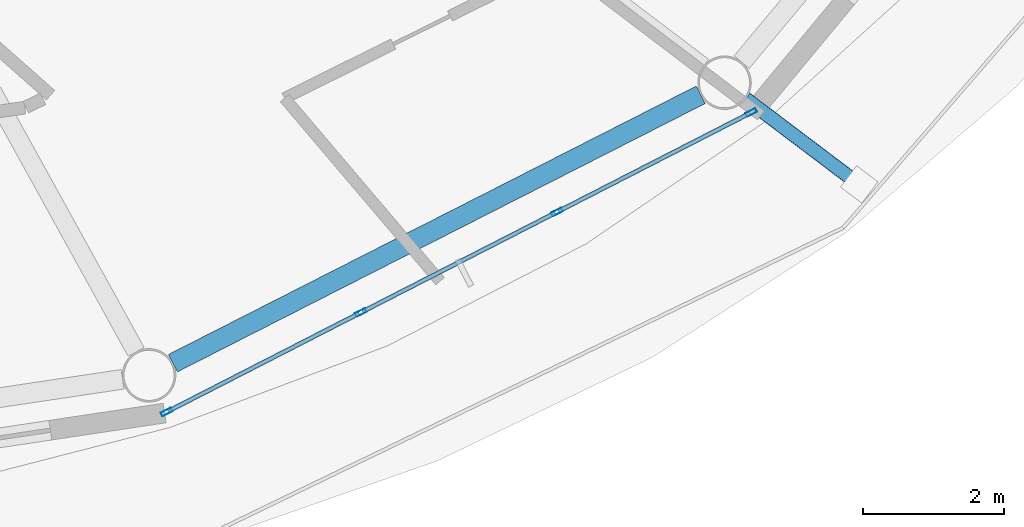
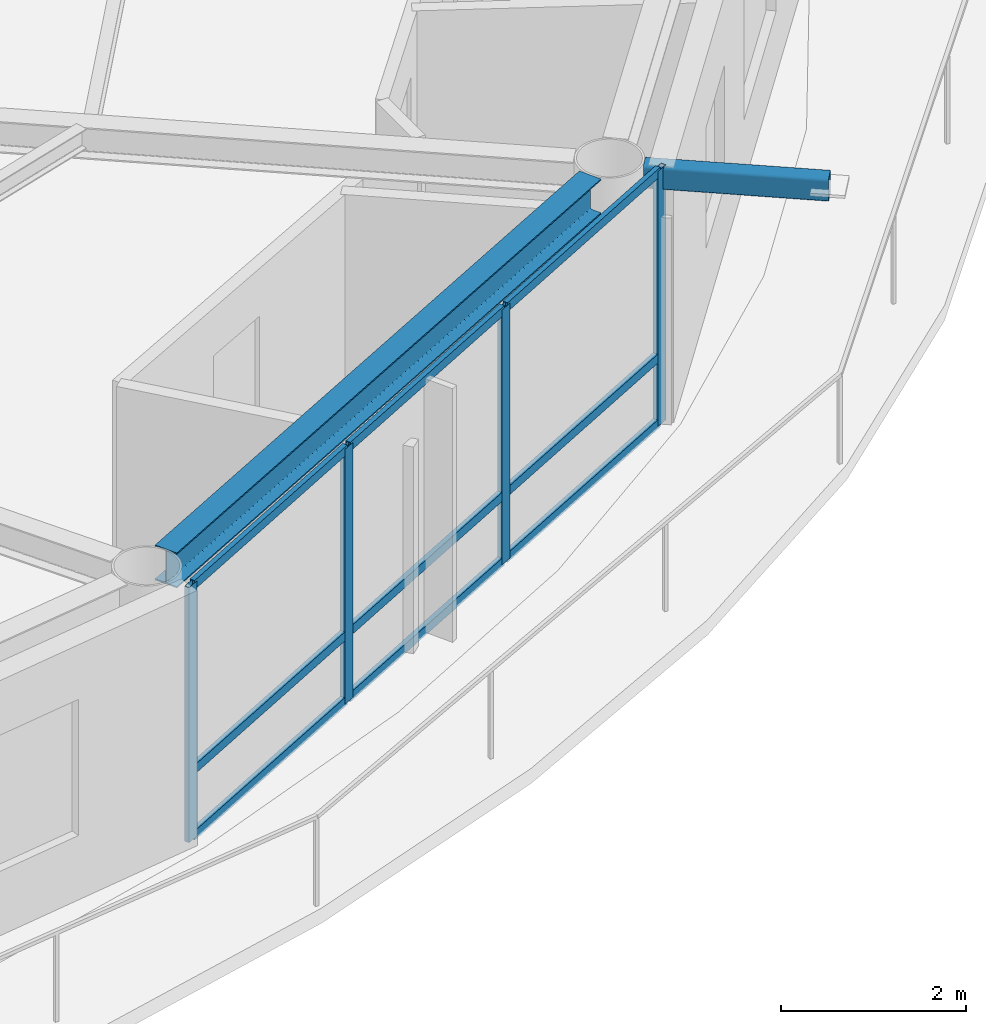
# One storey, part 5 of 23: 14 members, 1 beam, 1 element without a shape of its own.
"""IFC4 building model written with IfcOpenShell, lengths in metres."""

from ifc_helpers import new_model, si_unit, direction, frame, origin, origin_2d, place, context, subcontext, project, spatial, hollow_rectangle, i_section, extrude, material, layer, layer_set, material_profile, profile_set, type_object, element, aggregate, save


model = new_model("IFC4")

# Units and contexts
model_context = context("Model", 3, precision=1e-05, world=origin(), true_north=direction((0.0, 1.0)))
body_context = subcontext(model_context, "Body", "Model", "MODEL_VIEW")
ifc_project = project(units=[si_unit("LENGTHUNIT", "METRE"), si_unit("AREAUNIT", "SQUARE_METRE"), si_unit("VOLUMEUNIT", "CUBIC_METRE"), si_unit("PLANEANGLEUNIT", "RADIAN"), si_unit("MASSUNIT", "GRAM", prefix="KILO")], contexts=[model_context])

# Site, building, storey
site_placement = place(None, origin())
site = spatial("IfcSite", under=ifc_project, at=site_placement, CompositionType="ELEMENT")
building_placement = place(site_placement, origin())
building = spatial("IfcBuilding", under=site, at=building_placement, Name="Sarneth Arch Tower", CompositionType="ELEMENT")
storey_placement = place(building_placement, frame((0.0, 0.0, 280.199951171875)))
storey = spatial("IfcBuildingStorey", under=building, at=storey_placement, Name="L72", CompositionType="ELEMENT", Elevation=280.199951171875)

# Beam
ifc_material_1 = material(Name="Steel S355", Category="steel")
ifc_material_profile_1 = material_profile(ifc_material_1, i_section(OverallWidth=0.280029296875, OverallDepth=0.462890625, WebThickness=0.0107421875, FlangeThickness=0.017333984375, FilletRadius=0.01806640625, at=origin_2d()), Name="W460x113")
ifc_profile_set_1 = profile_set([ifc_material_profile_1], Name="Steel S355")
beam_type = type_object("IfcBeamType", Name="BM-RAD-460A", PredefinedType="BEAM", material=ifc_profile_set_1)
beam_placement = place(storey_placement, frame((58.13037109375, 24.434326171875, 3.138427734375), z_axis=(0.891373613492, 0.453269325204, 0.0), x_axis=(-0.453269325204, 0.891373613492, 0.0)))
element("IfcBeam", 1, at=beam_placement, inside=storey, type_object=beam_type, Name="L72 Perimeter spandrel beam 14", PredefinedType="BEAM", context=body_context, shape_type="SweptSolid", body=[
    extrude(i_section(OverallWidth=0.280029296875, OverallDepth=0.462890625, WebThickness=0.0107421875, FlangeThickness=0.017333984375, FilletRadius=0.01806640625, at=origin_2d()), origin(), (0.0, 0.0, 1.0), 8.419677734375),
])

# Curtain wall, members
ifc_material_2 = material(Name="Anodised aluminium Type AA25 and solar-control low-e laminated IGU", Category="aluminium")
ifc_layer = layer(ifc_material_2, 0.179931640625)
ifc_layer_set = layer_set([ifc_layer], Name="Anodised aluminium Type AA25 and solar-control low-e laminated IGU")
curtain_wall_type = type_object("IfcCurtainWallType", Name="CW-RES-HIGH", PredefinedType="NOTDEFINED", material=ifc_layer_set)
curtain_wall_placement = place(storey_placement, origin())
curtain_wall = element("IfcCurtainWall", 2, at=curtain_wall_placement, inside=storey, type_object=curtain_wall_type, Name="L72 Unitised curtain wall facet 14", PredefinedType="NOTDEFINED")
ifc_material_3 = material(Name="Anodised Aluminium 6063-T6", Category="aluminium")
ifc_material_profile_2 = material_profile(ifc_material_3, hollow_rectangle(XDim=0.06005859375, YDim=0.159912109375, WallThickness=0.00390625, at=origin_2d()), Name="AL-MULL-160x60x4")
ifc_profile_set_2 = profile_set([ifc_material_profile_2], Name="Anodised Aluminium 6063-T6")
member_type_1 = type_object("IfcMemberType", Name="CW-MULLION", PredefinedType="MULLION", material=ifc_profile_set_2)
member_1_placement = place(storey_placement, frame((58.039306640625, 23.7392578125, 0.0), z_axis=(0.0, 0.0, 1.0), x_axis=(-0.455941901753, 0.890009540525, 0.0)))
member_1 = element("IfcMember", 3, at=member_1_placement, type_object=member_type_1, Name="CW-SYS-6 mullion 1", PredefinedType="MULLION", context=body_context, shape_type="SweptSolid", body=[
    extrude(hollow_rectangle(XDim=0.06005859375, YDim=0.159912109375, WallThickness=0.00390625, at=origin_2d()), origin(), (0.0, 0.0, 1.0), 3.3701171875),
])
member_2_placement = place(storey_placement, frame((60.802490234375, 25.155029296875, 0.0), z_axis=(0.0, 0.0, 1.0), x_axis=(-0.455941901753, 0.890009540525, 0.0)))
member_2 = element("IfcMember", 4, at=member_2_placement, type_object=member_type_1, Name="CW-SYS-6 mullion 2", PredefinedType="MULLION", context=body_context, shape_type="SweptSolid", body=[
    extrude(hollow_rectangle(XDim=0.06005859375, YDim=0.159912109375, WallThickness=0.00390625, at=origin_2d()), origin(), (0.0, 0.0, 1.0), 3.3701171875),
])
member_3_placement = place(storey_placement, frame((63.592529296875, 26.584228515625, 0.0), z_axis=(0.0, 0.0, 1.0), x_axis=(-0.455941901753, 0.890009540525, 0.0)))
member_3 = element("IfcMember", 5, at=member_3_placement, type_object=member_type_1, Name="CW-SYS-6 mullion 3", PredefinedType="MULLION", context=body_context, shape_type="SweptSolid", body=[
    extrude(hollow_rectangle(XDim=0.06005859375, YDim=0.159912109375, WallThickness=0.00390625, at=origin_2d()), origin(), (0.0, 0.0, 1.0), 3.3701171875),
])
member_4_placement = place(storey_placement, frame((66.355712890625, 27.999755859375, 0.0), z_axis=(0.0, 0.0, 1.0), x_axis=(-0.455941901753, 0.890009540525, 0.0)))
member_4 = element("IfcMember", 6, at=member_4_placement, type_object=member_type_1, Name="CW-SYS-6 mullion 4", PredefinedType="MULLION", context=body_context, shape_type="SweptSolid", body=[
    extrude(hollow_rectangle(XDim=0.06005859375, YDim=0.159912109375, WallThickness=0.00390625, at=origin_2d()), origin(), (0.0, 0.0, 1.0), 3.3701171875),
])
ifc_material_4 = material(Name="Anodised Aluminium 6063-T6", Category="aluminium")
ifc_material_profile_3 = material_profile(ifc_material_4, hollow_rectangle(XDim=0.06005859375, YDim=0.1201171875, WallThickness=0.00390625, at=origin_2d()), Name="AL-TRAN-120x60x4")
ifc_profile_set_3 = profile_set([ifc_material_profile_3], Name="Anodised Aluminium 6063-T6")
member_type_2 = type_object("IfcMemberType", Name="CW-TRANSOM", PredefinedType="USERDEFINED", material=ifc_profile_set_3)
member_5_placement = place(storey_placement, frame((58.066162109375, 23.7529296875, 0.030029296875), z_axis=(0.889973523166, 0.456012201662, 0.0), x_axis=(-0.456012201662, 0.889973523166, 0.0)))
member_5 = element("IfcMember", 7, at=member_5_placement, type_object=member_type_2, Name="CW-SYS-6 transom 1.1", ObjectType="TRANSOM", PredefinedType="USERDEFINED", context=body_context, shape_type="SweptSolid", body=[
    extrude(hollow_rectangle(XDim=0.06005859375, YDim=0.1201171875, WallThickness=0.00390625, at=origin_2d()), origin(), (0.0, 0.0, 1.0), 3.044677734375),
])
member_6_placement = place(storey_placement, frame((58.066162109375, 23.7529296875, 0.900146484375), z_axis=(0.889973523166, 0.456012201662, 0.0), x_axis=(-0.456012201662, 0.889973523166, 0.0)))
member_6 = element("IfcMember", 8, at=member_6_placement, type_object=member_type_2, Name="CW-SYS-6 transom 1.2", ObjectType="TRANSOM", PredefinedType="USERDEFINED", context=body_context, shape_type="SweptSolid", body=[
    extrude(hollow_rectangle(XDim=0.06005859375, YDim=0.1201171875, WallThickness=0.00390625, at=origin_2d()), origin(), (0.0, 0.0, 1.0), 3.044677734375),
])
member_7_placement = place(storey_placement, frame((58.066162109375, 23.7529296875, 3.340087890625), z_axis=(0.889973523166, 0.456012201662, 0.0), x_axis=(-0.456012201662, 0.889973523166, 0.0)))
member_7 = element("IfcMember", 9, at=member_7_placement, type_object=member_type_2, Name="CW-SYS-6 transom 1.3", ObjectType="TRANSOM", PredefinedType="USERDEFINED", context=body_context, shape_type="SweptSolid", body=[
    extrude(hollow_rectangle(XDim=0.06005859375, YDim=0.1201171875, WallThickness=0.00390625, at=origin_2d()), origin(), (0.0, 0.0, 1.0), 3.044677734375),
])
member_8_placement = place(storey_placement, frame((60.829345703125, 25.168701171875, 0.030029296875), z_axis=(0.890017432405, 0.455926496286, 0.0), x_axis=(-0.455926496286, 0.890017432405, 0.0)))
member_8 = element("IfcMember", 10, at=member_8_placement, type_object=member_type_2, Name="CW-SYS-6 transom 2.1", ObjectType="TRANSOM", PredefinedType="USERDEFINED", context=body_context, shape_type="SweptSolid", body=[
    extrude(hollow_rectangle(XDim=0.06005859375, YDim=0.1201171875, WallThickness=0.00390625, at=origin_2d()), origin(), (0.0, 0.0, 1.0), 3.07470703125),
])
member_9_placement = place(storey_placement, frame((60.829345703125, 25.168701171875, 0.900146484375), z_axis=(0.890017432405, 0.455926496286, 0.0), x_axis=(-0.455926496286, 0.890017432405, 0.0)))
member_9 = element("IfcMember", 11, at=member_9_placement, type_object=member_type_2, Name="CW-SYS-6 transom 2.2", ObjectType="TRANSOM", PredefinedType="USERDEFINED", context=body_context, shape_type="SweptSolid", body=[
    extrude(hollow_rectangle(XDim=0.06005859375, YDim=0.1201171875, WallThickness=0.00390625, at=origin_2d()), origin(), (0.0, 0.0, 1.0), 3.07470703125),
])
member_10_placement = place(storey_placement, frame((60.829345703125, 25.168701171875, 3.340087890625), z_axis=(0.890017432405, 0.455926496286, 0.0), x_axis=(-0.455926496286, 0.890017432405, 0.0)))
member_10 = element("IfcMember", 12, at=member_10_placement, type_object=member_type_2, Name="CW-SYS-6 transom 2.3", ObjectType="TRANSOM", PredefinedType="USERDEFINED", context=body_context, shape_type="SweptSolid", body=[
    extrude(hollow_rectangle(XDim=0.06005859375, YDim=0.1201171875, WallThickness=0.00390625, at=origin_2d()), origin(), (0.0, 0.0, 1.0), 3.07470703125),
])
member_11_placement = place(storey_placement, frame((63.619140625, 26.597900390625, 0.030029296875), z_axis=(0.890022732705, 0.455916149384, 0.0), x_axis=(-0.455916149384, 0.890022732705, 0.0)))
member_11 = element("IfcMember", 13, at=member_11_placement, type_object=member_type_2, Name="CW-SYS-6 transom 3.1", ObjectType="TRANSOM", PredefinedType="USERDEFINED", context=body_context, shape_type="SweptSolid", body=[
    extrude(hollow_rectangle(XDim=0.06005859375, YDim=0.1201171875, WallThickness=0.00390625, at=origin_2d()), origin(), (0.0, 0.0, 1.0), 3.044921875),
])
member_12_placement = place(storey_placement, frame((63.619140625, 26.597900390625, 0.900146484375), z_axis=(0.890022732705, 0.455916149384, 0.0), x_axis=(-0.455916149384, 0.890022732705, 0.0)))
member_12 = element("IfcMember", 14, at=member_12_placement, type_object=member_type_2, Name="CW-SYS-6 transom 3.2", ObjectType="TRANSOM", PredefinedType="USERDEFINED", context=body_context, shape_type="SweptSolid", body=[
    extrude(hollow_rectangle(XDim=0.06005859375, YDim=0.1201171875, WallThickness=0.00390625, at=origin_2d()), origin(), (0.0, 0.0, 1.0), 3.044921875),
])
member_13_placement = place(storey_placement, frame((63.619140625, 26.597900390625, 3.340087890625), z_axis=(0.890022732705, 0.455916149384, 0.0), x_axis=(-0.455916149384, 0.890022732705, 0.0)))
member_13 = element("IfcMember", 15, at=member_13_placement, type_object=member_type_2, Name="CW-SYS-6 transom 3.3", ObjectType="TRANSOM", PredefinedType="USERDEFINED", context=body_context, shape_type="SweptSolid", body=[
    extrude(hollow_rectangle(XDim=0.06005859375, YDim=0.1201171875, WallThickness=0.00390625, at=origin_2d()), origin(), (0.0, 0.0, 1.0), 3.044921875),
])
aggregate(curtain_wall, [member_1, member_2, member_3, member_4, member_5, member_6, member_7, member_8, member_9, member_10, member_11, member_12, member_13])

# Member
ifc_material_5 = material(Name="Steel S355", Category="steel")
ifc_material_profile_4 = material_profile(ifc_material_5, hollow_rectangle(XDim=0.199951171875, YDim=0.300048828125, WallThickness=0.012451171875, InnerFilletRadius=0.018798828125, OuterFilletRadius=0.03125, at=origin_2d()), Name="RHS300x200x12.5")
ifc_profile_set_4 = profile_set([ifc_material_profile_4], Name="Steel S355")
member_type_3 = type_object("IfcMemberType", Name="MEM-CANT-STRUT", PredefinedType="STRUT", material=ifc_profile_set_4)
member_14_placement = place(storey_placement, frame((66.279296875, 28.19384765625, 3.2099609375), z_axis=(0.797950007974, -0.602723638806, 0.0), x_axis=(0.602723638806, 0.797950007974, 0.0)))
element("IfcMember", 16, at=member_14_placement, inside=storey, type_object=member_type_3, Name="L72 Balcony cantilever bracket 15", PredefinedType="STRUT", context=body_context, shape_type="SweptSolid", body=[
    extrude(hollow_rectangle(XDim=0.199951171875, YDim=0.300048828125, WallThickness=0.012451171875, InnerFilletRadius=0.018798828125, OuterFilletRadius=0.03125, at=origin_2d()), origin(), (0.0, 0.0, 1.0), 2.01953125),
])

save(model, "model.ifc")
